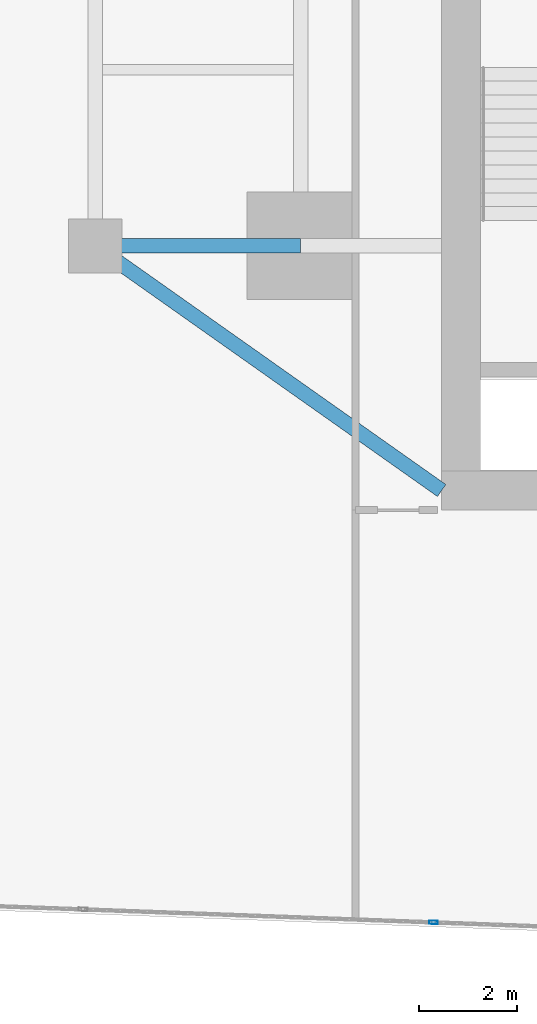
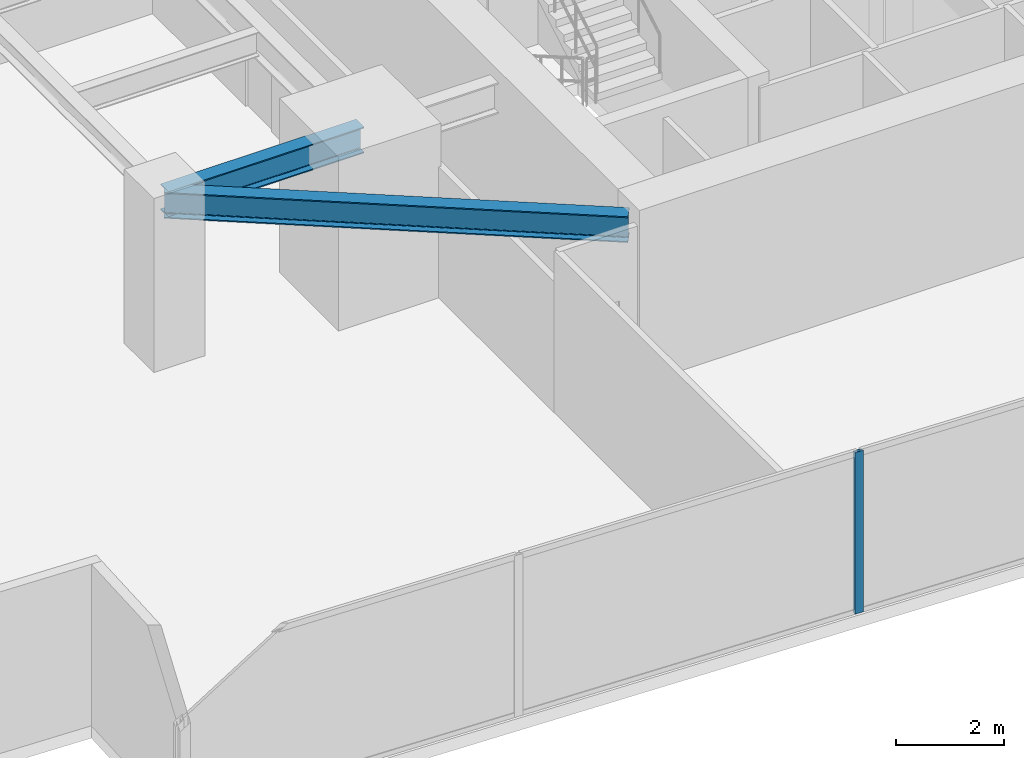
# One storey, part 5 of 30: 2 beams, 1 member, 1 element without a shape of its own.
"""IFC4 building model written with IfcOpenShell, lengths in metres."""

from ifc_helpers import new_model, si_unit, direction, frame, origin, origin_2d, place, context, subcontext, project, spatial, hollow_rectangle, i_section, extrude, source, transform, mapped, material, material_profile, profile_set, type_object, type_shapes, element, aggregate, save


model = new_model("IFC4")

# Units and contexts
model_context = context("Model", 3, precision=1e-05, world=origin(), true_north=direction((0.0, 1.0)))
body_context = subcontext(model_context, "Body", "Model", "MODEL_VIEW")
ifc_project = project(units=[si_unit("LENGTHUNIT", "METRE"), si_unit("AREAUNIT", "SQUARE_METRE"), si_unit("VOLUMEUNIT", "CUBIC_METRE"), si_unit("PLANEANGLEUNIT", "RADIAN"), si_unit("MASSUNIT", "GRAM", prefix="KILO")], contexts=[model_context])

# Site, building, storey
site_placement = place(None, origin())
site = spatial("IfcSite", under=ifc_project, at=site_placement, CompositionType="ELEMENT")
building_placement = place(site_placement, origin())
building = spatial("IfcBuilding", under=site, at=building_placement, Name="Krantzveldt Concourse Tower", CompositionType="ELEMENT")
storey_placement = place(building_placement, frame((0.0, 0.0, 44.75)))
storey = spatial("IfcBuildingStorey", under=building, at=storey_placement, Name="L10", CompositionType="ELEMENT", Elevation=44.75)

# Beams
ifc_material_1 = material(Name="Steel S355JR", Category="steel")
ifc_material_profile_1 = material_profile(ifc_material_1, i_section(OverallWidth=0.300048828125, OverallDepth=0.590087890625, WebThickness=0.012939453125, FlangeThickness=0.02490234375, FilletRadius=0.027099609375, at=origin_2d()), Name="Steel S355JR", Category="steel")
ifc_profile_set_1 = profile_set([ifc_material_profile_1], Name="Steel S355JR - HEA 600")
beam_type = type_object("IfcBeamType", Name="BM-B-HEA600", PredefinedType="BEAM", material=ifc_profile_set_1)
shared_shape_1 = source(origin(), body_context, "Body", "SweptSolid", [
    extrude(i_section(OverallWidth=0.300048828125, OverallDepth=0.590087890625, WebThickness=0.012939453125, FlangeThickness=0.02490234375, FilletRadius=0.027099609375, at=origin_2d()), origin(), (0.0, 0.0, 1.0), 4.199951171875),
])
beam_1_placement = place(storey_placement, frame((21.0, 15.89990234375, 3.375), z_axis=(1.0, 0.0, 0.0), x_axis=(0.0, 1.0, 0.0)))
element("IfcBeam", 1, at=beam_1_placement, inside=storey, type_object=beam_type, Name="L10 Tower Girder BR-RL1", PredefinedType="BEAM", context=body_context, shape_type="MappedRepresentation", body=[
    mapped(shared_shape_1, transform((0.0, 0.0, 0.0), x_axis=(1.0, 0.0, 0.0), y_axis=(0.0, 1.0, 0.0), z_axis=(0.0, 0.0, 1.0), scale=1.0)),
])
shared_shape_2 = source(origin(), body_context, "Body", "SweptSolid", [
    extrude(i_section(OverallWidth=0.300048828125, OverallDepth=0.590087890625, WebThickness=0.012939453125, FlangeThickness=0.02490234375, FilletRadius=0.027099609375, at=origin_2d()), origin(), (0.0, 0.0, 1.0), 8.667724609375),
])
type_shapes(beam_type, [shared_shape_1, shared_shape_2])
beam_2_placement = place(storey_placement, frame((21.0, 15.89990234375, 3.375), z_axis=(0.81684294656, -0.576860122261, 0.0), x_axis=(0.576860122261, 0.81684294656, 0.0)))
element("IfcBeam", 2, at=beam_2_placement, inside=storey, type_object=beam_type, Name="L10 Tower Girder BR-CSW", PredefinedType="BEAM", context=body_context, shape_type="MappedRepresentation", body=[
    mapped(shared_shape_2, transform((0.0, 0.0, 0.0), x_axis=(1.0, 0.0, 0.0), y_axis=(0.0, 1.0, 0.0), z_axis=(0.0, 0.0, 1.0), scale=1.0)),
])

# Curtain wall, member
ifc_material_2 = material(Name="Anodised aluminium 6063-T6", Category="aluminium")
curtain_wall_type = type_object("IfcCurtainWallType", Name="CW2", PredefinedType="USERDEFINED", material=ifc_material_2)
curtain_wall_placement = place(storey_placement, origin())
curtain_wall = element("IfcCurtainWall", 3, at=curtain_wall_placement, inside=storey, type_object=curtain_wall_type, Name="CW-L10-F04", ObjectType="UNITISED CURTAIN WALL", PredefinedType="USERDEFINED")
ifc_material_profile_2 = material_profile(ifc_material_2, hollow_rectangle(XDim=0.070068359375, YDim=0.179931640625, WallThickness=0.0048828125, at=origin_2d()), Name="Anodised aluminium 6063-T6", Category="aluminium")
ifc_profile_set_2 = profile_set([ifc_material_profile_2], Name="Anodised aluminium 6063-T6 - ALU-MULL 180x70x5")
member_type = type_object("IfcMemberType", Name="CW-MUL-180", PredefinedType="MULLION", material=ifc_profile_set_2)
shared_shape_3 = source(origin(), body_context, "Body", "SweptSolid", [
    extrude(hollow_rectangle(XDim=0.070068359375, YDim=0.179931640625, WallThickness=0.0048828125, at=origin_2d()), origin(), (0.0, 0.0, 1.0), 3.669921875),
])
type_shapes(member_type, [shared_shape_3])
member_placement = place(storey_placement, frame((27.91455078125, 2.07275390625, 0.0), z_axis=(0.0, 0.0, 1.0), x_axis=(0.037079766834, 0.999312308986, 0.0)))
member = element("IfcMember", 4, at=member_placement, type_object=member_type, Name="CW-Z12 mullion 3", PredefinedType="MULLION", context=body_context, shape_type="MappedRepresentation", body=[
    mapped(shared_shape_3, transform((0.0, 0.0, 0.0), x_axis=(1.0, 0.0, 0.0), y_axis=(0.0, 1.0, 0.0), z_axis=(0.0, 0.0, 1.0), scale=1.0)),
])
aggregate(curtain_wall, [member])

save(model, "model.ifc")
